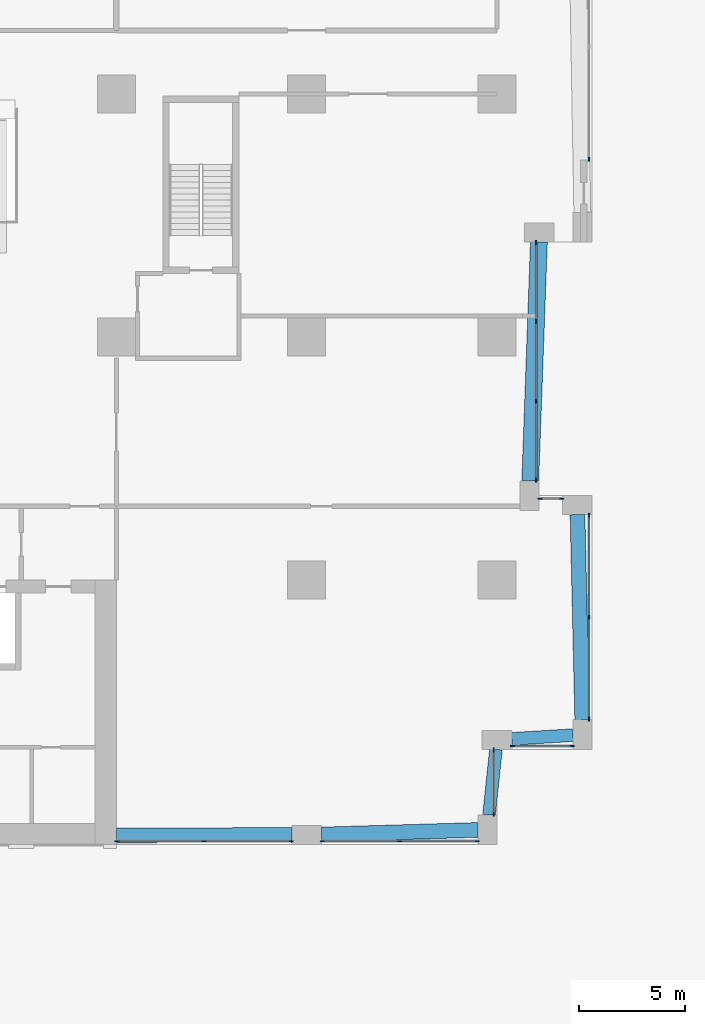
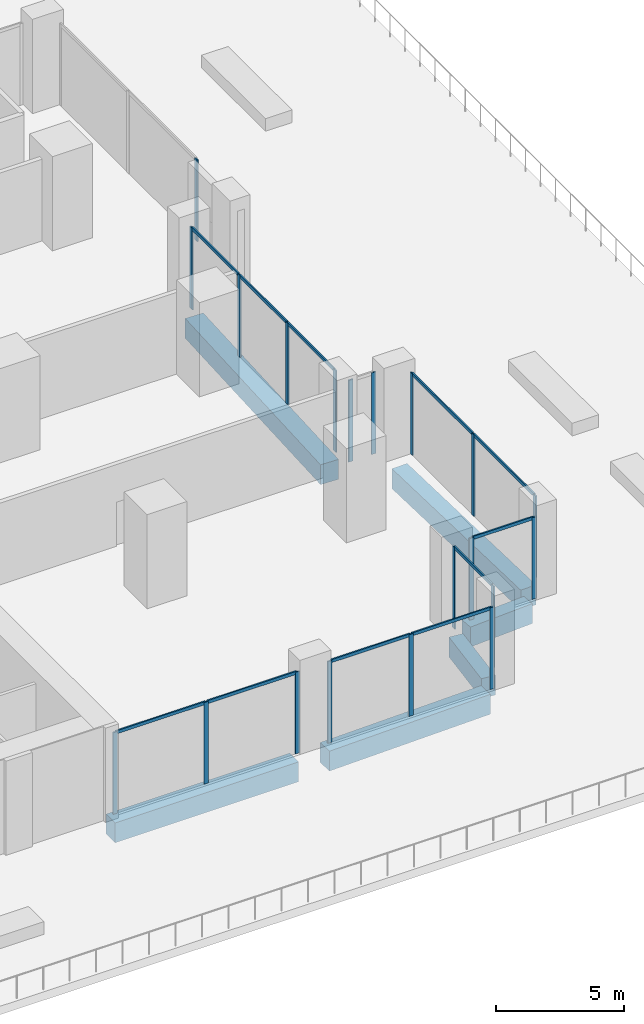
# One storey, part 6 of 19: 31 members, 6 beams, 8 elements without a shape of their own.
"""IFC4 building model written with IfcOpenShell, lengths in metres."""

import ifcopenshell
import ifcopenshell.guid

model = None  # the IFC model being written
_history = None  # IfcOwnerHistory: only IFC2X3 demands one
_inside = {}  # id of a spatial element -> (the spatial element, [elements in it])
_under = {}  # id of a project, library or spatial element -> (it, [spatial elements below it])
_declared = {}  # id of a project -> (the project, [libraries it declares])
_typed = {}  # id of a type object -> (the type object, [elements of that type])
_made_of = {}  # id of a material, layer set ... -> (it, [elements and type objects made of it])


def new_model(schema):
    """Start an empty IFC model of exactly this schema.

    Asked for "IFC4X3", IfcOpenShell would pick the latest addendum, in which some entities
    have other attributes; the version numbers below select the first issue.
    IFC2X3 requires an IfcOwnerHistory on every rooted entity: one is made here for all.
    """
    global model, _history
    if schema == "IFC4X3":
        model = ifcopenshell.file(schema_version=(4, 3, 0, 0))
    else:
        model = ifcopenshell.file(schema=schema)
    _inside.clear()
    _under.clear()
    _declared.clear()
    _typed.clear()
    _made_of.clear()
    _history = None
    if model.schema == "IFC2X3":
        org = make("IfcOrganization", Name="unknown")
        user = make(
            "IfcPersonAndOrganization",
            ThePerson=make("IfcPerson", FamilyName="unknown"),
            TheOrganization=org,
        )
        app = make(
            "IfcApplication",
            ApplicationDeveloper=org,
            Version="unknown",
            ApplicationFullName="unknown",
            ApplicationIdentifier="unknown",
        )
        _history = make(
            "IfcOwnerHistory",
            OwningUser=user,
            OwningApplication=app,
            ChangeAction="ADDED",
            CreationDate=0,
        )
    return model


def make(cls, **values):
    """One entity of the class cls with the attributes given. An attribute that is None is left unset."""
    return model.create_entity(
        cls, **{name: value for name, value in values.items() if value is not None}
    )


def rooted(cls, **values):
    """An entity with a GlobalId (a new one), such as an element, a storey or a relation."""
    return make(cls, GlobalId=ifcopenshell.guid.new(), OwnerHistory=_history, **values)


def si_unit(unit_type, name, prefix=None):
    """IfcSIUnit, for example si_unit("LENGTHUNIT", "METRE", prefix="MILLI")."""
    return make("IfcSIUnit", UnitType=unit_type, Prefix=prefix, Name=name)


def assignment(units):
    """IfcUnitAssignment: the units of a project."""
    return None if units is None else make("IfcUnitAssignment", Units=units)


def point(xyz):
    """IfcCartesianPoint."""
    return None if xyz is None else make("IfcCartesianPoint", Coordinates=xyz)


def direction(xyz):
    """IfcDirection."""
    return None if xyz is None else make("IfcDirection", DirectionRatios=xyz)


def frame(location, z_axis=None, x_axis=None):
    """IfcAxis2Placement3D, a coordinate frame: its origin and axes. An axis left out is left unset."""
    return make(
        "IfcAxis2Placement3D",
        Location=point(location),
        Axis=direction(z_axis),
        RefDirection=direction(x_axis),
    )


def frame_2d(location, x_axis=None):
    """IfcAxis2Placement2D, a coordinate frame in the plane: its origin and x axis."""
    return make(
        "IfcAxis2Placement2D", Location=point(location), RefDirection=direction(x_axis)
    )


def origin():
    """The frame at (0, 0, 0) with its axes left unset."""
    return frame((0.0, 0.0, 0.0))


def origin_2d():
    """The frame at (0, 0) in the plane with its x axis left unset."""
    return frame_2d((0.0, 0.0))


def place(relative_to, where):
    """IfcLocalPlacement: puts the frame where relative to a parent placement (None: the world)."""
    return make(
        "IfcLocalPlacement", PlacementRelTo=relative_to, RelativePlacement=where
    )


def context(
    kind, dimensions, precision=None, world=None, true_north=None, identifier=None
):
    """IfcGeometricRepresentationContext, for example the 3D "Model" context."""
    return make(
        "IfcGeometricRepresentationContext",
        ContextIdentifier=identifier,
        ContextType=kind,
        CoordinateSpaceDimension=dimensions,
        Precision=precision,
        WorldCoordinateSystem=world,
        TrueNorth=true_north,
    )


def subcontext(parent, identifier, kind, view, scale=None):
    """IfcGeometricRepresentationSubContext, for example "Body" below "Model"."""
    return make(
        "IfcGeometricRepresentationSubContext",
        ContextIdentifier=identifier,
        ContextType=kind,
        ParentContext=parent,
        TargetScale=scale,
        TargetView=view,
    )


def project(units=None, contexts=None):
    """IfcProject with its units and contexts."""
    return rooted(
        "IfcProject",
        Name="project",
        RepresentationContexts=contexts,
        UnitsInContext=assignment(units),
    )


def spatial(cls, under=None, at=None, **own):
    """A site, building, storey or space (cls), placed at a placement, below another one or the project."""
    s = rooted(cls, ObjectPlacement=at, **own)
    if under is not None:
        _under.setdefault(under.id(), (under, []))[1].append(s)
    return s


def profile(cls, at=None, kind="AREA", **sizes):
    """A parametric profile (cls). Its sizes go by their IFC names, for example OverallWidth=200.0."""
    return make(cls, ProfileType=kind, Position=at, **sizes)


def rectangle(**sizes):
    """IfcRectangleProfileDef."""
    return profile("IfcRectangleProfileDef", **sizes)


def extrude(swept, where, along, depth):
    """IfcExtrudedAreaSolid: the profile swept, set in the frame where, extruded along a direction by depth."""
    return make(
        "IfcExtrudedAreaSolid",
        SweptArea=swept,
        Position=where,
        ExtrudedDirection=direction(along),
        Depth=depth,
    )


def shape(context_of_items, identifier, shape_type, items):
    """IfcShapeRepresentation: the items that make up one representation, for example the "Body"."""
    return make(
        "IfcShapeRepresentation",
        ContextOfItems=context_of_items,
        RepresentationIdentifier=identifier,
        RepresentationType=shape_type,
        Items=items,
    )


def material(Name=None, Category=None):
    """IfcMaterial."""
    return make("IfcMaterial", Name=Name, Category=Category)


def layer(
    of_material, thickness, ventilated=None, Name=None, Category=None, Priority=None
):
    """IfcMaterialLayer: one layer of a wall or slab, of a material (None: an air gap)."""
    return make(
        "IfcMaterialLayer",
        Material=of_material,
        LayerThickness=thickness,
        IsVentilated=ventilated,
        Name=Name,
        Category=Category,
        Priority=Priority,
    )


def layer_set(layers, Name=None):
    """IfcMaterialLayerSet."""
    return make("IfcMaterialLayerSet", MaterialLayers=layers, LayerSetName=Name)


def material_profile(
    of_material, cross_section, Name=None, Category=None, Priority=None
):
    """IfcMaterialProfile: a cross section and its material."""
    return make(
        "IfcMaterialProfile",
        Name=Name,
        Material=of_material,
        Profile=cross_section,
        Priority=Priority,
        Category=Category,
    )


def profile_set(profiles, Name=None, composite=None):
    """IfcMaterialProfileSet."""
    return make(
        "IfcMaterialProfileSet",
        Name=Name,
        MaterialProfiles=profiles,
        CompositeProfile=composite,
    )


def made_of(thing, what):
    """Note that an element or type object is made of a material, layer set ...; save() writes the relation."""
    if what is not None:
        _made_of.setdefault(what.id(), (what, []))[1].append(thing)
    return thing


def type_object(cls, material=None, **own):
    """A type object (cls), such as IfcWallType, which elements share."""
    return made_of(rooted(cls, **own), material)


def element(
    cls,
    number,
    at=None,
    inside=None,
    cuts=None,
    type_object=None,
    material=None,
    context=None,
    identifier="Body",
    shape_type=None,
    held_by="IfcProductDefinitionShape",
    body=None,
    shapes=None,
    **own,
):
    """One element of the class cls, such as IfcWall. Its Tag is "e" and its number.

    at: its placement. inside: the storey or other place that contains it. cuts: it is an
    opening in that element (IfcRelVoidsElement). A single representation is given by context,
    identifier, shape_type and body (its items); several are given by shapes. held_by: the class
    of the entity that holds the representations. save() writes the other relations.
    """
    e = rooted(cls, Tag="e%d" % number, ObjectPlacement=at, **own)
    if body is not None:
        shapes = [shape(context, identifier, shape_type, body)]
    if shapes is not None:
        e.Representation = make(held_by, Representations=shapes)
    if inside is not None:
        _inside.setdefault(inside.id(), (inside, []))[1].append(e)
    if cuts is not None:
        rooted(
            "IfcRelVoidsElement", RelatingBuildingElement=cuts, RelatedOpeningElement=e
        )
    if type_object is not None:
        _typed.setdefault(type_object.id(), (type_object, []))[1].append(e)
    return made_of(e, material)


def aggregate(whole, parts):
    """IfcRelAggregates: a whole, such as a stair, and the parts it consists of."""
    return rooted("IfcRelAggregates", RelatingObject=whole, RelatedObjects=parts)


def save(model, path):
    """Write the relations noted so far, then the file.

    IfcRelAggregates (storeys below a building ...), IfcRelContainedInSpatialStructure (elements
    in a storey), IfcRelDefinesByType, IfcRelAssociatesMaterial and IfcRelDeclares: one each for
    every whole, place, type object, material and project.
    """
    for whole, parts in _under.values():
        aggregate(whole, parts)
    for where, things in _inside.values():
        rooted(
            "IfcRelContainedInSpatialStructure",
            RelatedElements=things,
            RelatingStructure=where,
        )
    for kind, things in _typed.values():
        rooted("IfcRelDefinesByType", RelatedObjects=things, RelatingType=kind)
    for what, things in _made_of.values():
        rooted("IfcRelAssociatesMaterial", RelatedObjects=things, RelatingMaterial=what)
    for by, libraries in _declared.values():
        rooted("IfcRelDeclares", RelatingContext=by, RelatedDefinitions=libraries)
    model.write(path)


model = new_model("IFC4")

# Units and contexts
model_context = context("Model", 3, precision=1e-05, world=origin(), true_north=direction((0.0, 1.0)))
body_context = subcontext(model_context, "Body", "Model", "MODEL_VIEW")
ifc_project = project(units=[si_unit("LENGTHUNIT", "METRE"), si_unit("AREAUNIT", "SQUARE_METRE"), si_unit("VOLUMEUNIT", "CUBIC_METRE"), si_unit("PLANEANGLEUNIT", "RADIAN"), si_unit("MASSUNIT", "GRAM", prefix="KILO")], contexts=[model_context])

# Site, building, storey
site_placement = place(None, origin())
site = spatial("IfcSite", under=ifc_project, at=site_placement, CompositionType="ELEMENT")
building_placement = place(site_placement, origin())
building = spatial("IfcBuilding", under=site, at=building_placement, Name="Brigalow Station Residences", CompositionType="ELEMENT")
storey_placement = place(building_placement, frame((0.0, 0.0, 11.0)))
storey = spatial("IfcBuildingStorey", under=building, at=storey_placement, Name="L02", CompositionType="ELEMENT", Elevation=11.0)

# Beams
ifc_material_1 = material(Name="Concrete C65", Category="concrete")
ifc_material_profile_1 = material_profile(ifc_material_1, rectangle(XDim=0.699951171875, YDim=0.949951171875, at=origin_2d()), Name="RC700x950")
ifc_profile_set_1 = profile_set([ifc_material_profile_1], Name="Concrete C65")
beam_type_1 = type_object("IfcBeamType", Name="EDGE GIRDER 4.5 TO 9.9 M SPAN 700x950 C65", PredefinedType="BEAM", material=ifc_profile_set_1)
beam_1_placement = place(storey_placement, frame((54.0, 0.42626953125, -0.876953125), z_axis=(0.99999649594, 0.002647283132, 0.0), x_axis=(-0.002647283132, 0.99999649594, 0.0)))
element("IfcBeam", 1, at=beam_1_placement, inside=storey, type_object=beam_type_1, Name="FOOTPRINT EDGE GIRDER 3 L02", PredefinedType="BEAM", context=body_context, shape_type="SweptSolid", body=[
    extrude(rectangle(XDim=0.699951171875, YDim=0.949951171875, at=origin_2d()), origin(), (0.0, 0.0, 1.0), 8.300048828125),
])
beam_2_placement = place(storey_placement, frame((63.699951171875, 0.470458984375, -0.876953125), z_axis=(0.99957306798, 0.029217833071, 0.0), x_axis=(-0.029217833071, 0.99957306798, 0.0)))
element("IfcBeam", 2, at=beam_2_placement, inside=storey, type_object=beam_type_1, Name="FOOTPRINT EDGE GIRDER 4 L02", PredefinedType="BEAM", context=body_context, shape_type="SweptSolid", body=[
    extrude(rectangle(XDim=0.699951171875, YDim=0.949951171875, at=origin_2d()), origin(), (0.0, 0.0, 1.0), 7.4033203125),
])
beam_3_placement = place(storey_placement, frame((76.033935546875, 5.89990234375, -0.876953125), z_axis=(-0.023048340536, 0.999734351715, 0.0), x_axis=(-0.999734351715, -0.023048340536, 0.0)))
element("IfcBeam", 3, at=beam_3_placement, inside=storey, type_object=beam_type_1, Name="FOOTPRINT EDGE GIRDER 7 L02", PredefinedType="BEAM", context=body_context, shape_type="SweptSolid", body=[
    extrude(rectangle(XDim=0.699951171875, YDim=0.949951171875, at=origin_2d()), origin(), (0.0, 0.0, 1.0), 9.702880859375),
])
ifc_material_2 = material(Name="Concrete C65", Category="concrete")
ifc_material_profile_2 = material_profile(ifc_material_2, rectangle(XDim=0.60009765625, YDim=0.949951171875, at=origin_2d()), Name="RC600x950")
ifc_profile_set_2 = profile_set([ifc_material_profile_2], Name="Concrete C65")
beam_type_2 = type_object("IfcBeamType", Name="EDGE GIRDER 600x950 C65", PredefinedType="BEAM", material=ifc_profile_set_2)
beam_4_placement = place(storey_placement, frame((71.6240234375, 1.39990234375, -0.876953125), z_axis=(0.105332948539, 0.994437011556, 0.0), x_axis=(-0.994437011556, 0.105332948539, 0.0)))
element("IfcBeam", 4, at=beam_4_placement, inside=storey, type_object=beam_type_2, Name="FOOTPRINT EDGE GIRDER 5 L02", PredefinedType="BEAM", context=body_context, shape_type="SweptSolid", body=[
    extrude(rectangle(XDim=0.60009765625, YDim=0.949951171875, at=origin_2d()), origin(), (0.0, 0.0, 1.0), 3.117431640625),
])
beam_5_placement = place(storey_placement, frame((72.699951171875, 4.9931640625, -0.876953125), z_axis=(0.998101633147, 0.061588391034, 0.0), x_axis=(-0.061588391034, 0.998101633147, 0.0)))
element("IfcBeam", 5, at=beam_5_placement, inside=storey, type_object=beam_type_2, Name="FOOTPRINT EDGE GIRDER 6 L02", PredefinedType="BEAM", context=body_context, shape_type="SweptSolid", body=[
    extrude(rectangle(XDim=0.60009765625, YDim=0.949951171875, at=origin_2d()), origin(), (0.0, 0.0, 1.0), 2.90576171875),
])
ifc_material_3 = material(Name="Concrete C65", Category="concrete")
ifc_material_profile_3 = material_profile(ifc_material_3, rectangle(XDim=0.800048828125, YDim=0.949951171875, at=origin_2d()), Name="RC800x950")
ifc_profile_set_3 = profile_set([ifc_material_profile_3], Name="Concrete C65")
beam_type_3 = type_object("IfcBeamType", Name="EDGE GIRDER OVER 9.9 M SPAN 800x950 C65", PredefinedType="BEAM", material=ifc_profile_set_3)
beam_6_placement = place(storey_placement, frame((73.5751953125, 17.199951171875, -0.876953125), z_axis=(0.036122030412, 0.999347386507, 0.0), x_axis=(-0.999347386507, 0.036122030412, 0.0)))
element("IfcBeam", 6, at=beam_6_placement, inside=storey, type_object=beam_type_3, Name="FOOTPRINT EDGE GIRDER 8 L02", PredefinedType="BEAM", context=body_context, shape_type="SweptSolid", body=[
    extrude(rectangle(XDim=0.800048828125, YDim=0.949951171875, at=origin_2d()), origin(), (0.0, 0.0, 1.0), 11.307373046875),
])

# Curtain wall, members
ifc_material_4 = material(Name="Aluminium", Category="aluminium")
ifc_layer = layer(ifc_material_4, 0.199951171875)
ifc_layer_set = layer_set([ifc_layer], Name="PODIUM UNITISED GLAZING CURTAIN WALL")
curtain_wall_type = type_object("IfcCurtainWallType", Name="PODIUM UNITISED GLAZING CURTAIN WALL", PredefinedType="NOTDEFINED", material=ifc_layer_set)
curtain_wall_1_placement = place(storey_placement, origin())
curtain_wall_1 = element("IfcCurtainWall", 7, at=curtain_wall_1_placement, inside=storey, type_object=curtain_wall_type, Name="L02/cw/podium-W-L02-5-2", PredefinedType="NOTDEFINED")
ifc_material_5 = material(Name="Aluminium", Category="aluminium")
ifc_material_profile_4 = material_profile(ifc_material_5, rectangle(XDim=0.06494140625, YDim=0.199951171875, at=origin_2d()), Name="PODIUM UNITISED GLAZING MULLION 65x200")
ifc_profile_set_4 = profile_set([ifc_material_profile_4], Name="Aluminium")
member_type_1 = type_object("IfcMemberType", Name="PODIUM UNITISED GLAZING MULLION 65x200", PredefinedType="MULLION", material=ifc_profile_set_4)
member_1_placement = place(storey_placement, frame((54.032470703125, 0.14990234375, 0.0), z_axis=(0.0, 0.0, 1.0), x_axis=(0.0, 1.0, 0.0)))
member_1 = element("IfcMember", 8, at=member_1_placement, type_object=member_type_1, Name="L02/cw/podium-W-L02-5-2/M00", PredefinedType="MULLION", context=body_context, shape_type="SweptSolid", body=[
    extrude(rectangle(XDim=0.06494140625, YDim=0.199951171875, at=origin_2d()), origin(), (0.0, 0.0, 1.0), 3.89990234375),
])
member_2_placement = place(storey_placement, frame((58.14990234375, 0.14990234375, 0.0), z_axis=(0.0, 0.0, 1.0), x_axis=(0.0, 1.0, 0.0)))
member_2 = element("IfcMember", 9, at=member_2_placement, type_object=member_type_1, Name="L02/cw/podium-W-L02-5-2/M01", PredefinedType="MULLION", context=body_context, shape_type="SweptSolid", body=[
    extrude(rectangle(XDim=0.06494140625, YDim=0.199951171875, at=origin_2d()), origin(), (0.0, 0.0, 1.0), 3.89990234375),
])
member_3_placement = place(storey_placement, frame((62.267578125, 0.14990234375, 0.0), z_axis=(0.0, 0.0, 1.0), x_axis=(0.0, 1.0, 0.0)))
member_3 = element("IfcMember", 10, at=member_3_placement, type_object=member_type_1, Name="L02/cw/podium-W-L02-5-2/M02", PredefinedType="MULLION", context=body_context, shape_type="SweptSolid", body=[
    extrude(rectangle(XDim=0.06494140625, YDim=0.199951171875, at=origin_2d()), origin(), (0.0, 0.0, 1.0), 3.89990234375),
])

curtain_wall_2_placement = place(storey_placement, origin())
curtain_wall_2 = element("IfcCurtainWall", 11, at=curtain_wall_2_placement, inside=storey, type_object=curtain_wall_type, Name="L02/cw/podium-W-L02-5-3", PredefinedType="NOTDEFINED")
member_4_placement = place(storey_placement, frame((63.732421875, 0.14990234375, 0.0), z_axis=(0.0, 0.0, 1.0), x_axis=(0.0, 1.0, 0.0)))
member_4 = element("IfcMember", 12, at=member_4_placement, type_object=member_type_1, Name="L02/cw/podium-W-L02-5-3/M00", PredefinedType="MULLION", context=body_context, shape_type="SweptSolid", body=[
    extrude(rectangle(XDim=0.06494140625, YDim=0.199951171875, at=origin_2d()), origin(), (0.0, 0.0, 1.0), 3.89990234375),
])
member_5_placement = place(storey_placement, frame((67.39990234375, 0.14990234375, 0.0), z_axis=(0.0, 0.0, 1.0), x_axis=(0.0, 1.0, 0.0)))
member_5 = element("IfcMember", 13, at=member_5_placement, type_object=member_type_1, Name="L02/cw/podium-W-L02-5-3/M01", PredefinedType="MULLION", context=body_context, shape_type="SweptSolid", body=[
    extrude(rectangle(XDim=0.06494140625, YDim=0.199951171875, at=origin_2d()), origin(), (0.0, 0.0, 1.0), 3.89990234375),
])
member_6_placement = place(storey_placement, frame((71.0673828125, 0.14990234375, 0.0), z_axis=(0.0, 0.0, 1.0), x_axis=(0.0, 1.0, 0.0)))
member_6 = element("IfcMember", 14, at=member_6_placement, type_object=member_type_1, Name="L02/cw/podium-W-L02-5-3/M02", PredefinedType="MULLION", context=body_context, shape_type="SweptSolid", body=[
    extrude(rectangle(XDim=0.06494140625, YDim=0.199951171875, at=origin_2d()), origin(), (0.0, 0.0, 1.0), 3.89990234375),
])

curtain_wall_3_placement = place(storey_placement, origin())
curtain_wall_3 = element("IfcCurtainWall", 15, at=curtain_wall_3_placement, inside=storey, type_object=curtain_wall_type, Name="L02/cw/podium-W-L02-9-4", PredefinedType="NOTDEFINED")
member_7_placement = place(storey_placement, frame((71.85009765625, 1.4326171875, 0.0), z_axis=(0.0, 0.0, 1.0), x_axis=(-1.0, 0.0, 0.0)))
member_7 = element("IfcMember", 16, at=member_7_placement, type_object=member_type_1, Name="L02/cw/podium-W-L02-9-4/M00", PredefinedType="MULLION", context=body_context, shape_type="SweptSolid", body=[
    extrude(rectangle(XDim=0.06494140625, YDim=0.199951171875, at=origin_2d()), origin(), (0.0, 0.0, 1.0), 3.89990234375),
])
member_8_placement = place(storey_placement, frame((71.85009765625, 4.467529296875, 0.0), z_axis=(0.0, 0.0, 1.0), x_axis=(-1.0, 0.0, 0.0)))
member_8 = element("IfcMember", 17, at=member_8_placement, type_object=member_type_1, Name="L02/cw/podium-W-L02-9-4/M01", PredefinedType="MULLION", context=body_context, shape_type="SweptSolid", body=[
    extrude(rectangle(XDim=0.06494140625, YDim=0.199951171875, at=origin_2d()), origin(), (0.0, 0.0, 1.0), 3.89990234375),
])

curtain_wall_4_placement = place(storey_placement, origin())
curtain_wall_4 = element("IfcCurtainWall", 18, at=curtain_wall_4_placement, inside=storey, type_object=curtain_wall_type, Name="L02/cw/podium-W-L02-10-5", PredefinedType="NOTDEFINED")
member_9_placement = place(storey_placement, frame((72.732421875, 4.64990234375, 0.0), z_axis=(0.0, 0.0, 1.0), x_axis=(0.0, 1.0, 0.0)))
member_9 = element("IfcMember", 19, at=member_9_placement, type_object=member_type_1, Name="L02/cw/podium-W-L02-10-5/M00", PredefinedType="MULLION", context=body_context, shape_type="SweptSolid", body=[
    extrude(rectangle(XDim=0.06494140625, YDim=0.199951171875, at=origin_2d()), origin(), (0.0, 0.0, 1.0), 3.89990234375),
])
member_10_placement = place(storey_placement, frame((75.5673828125, 4.64990234375, 0.0), z_axis=(0.0, 0.0, 1.0), x_axis=(0.0, 1.0, 0.0)))
member_10 = element("IfcMember", 20, at=member_10_placement, type_object=member_type_1, Name="L02/cw/podium-W-L02-10-5/M01", PredefinedType="MULLION", context=body_context, shape_type="SweptSolid", body=[
    extrude(rectangle(XDim=0.06494140625, YDim=0.199951171875, at=origin_2d()), origin(), (0.0, 0.0, 1.0), 3.89990234375),
])

curtain_wall_5_placement = place(storey_placement, origin())
curtain_wall_5 = element("IfcCurtainWall", 21, at=curtain_wall_5_placement, inside=storey, type_object=curtain_wall_type, Name="L02/cw/podium-W-L02-11-6", PredefinedType="NOTDEFINED")
member_11_placement = place(storey_placement, frame((76.35009765625, 5.9326171875, 0.0), z_axis=(0.0, 0.0, 1.0), x_axis=(-1.0, 0.0, 0.0)))
member_11 = element("IfcMember", 22, at=member_11_placement, type_object=member_type_1, Name="L02/cw/podium-W-L02-11-6/M00", PredefinedType="MULLION", context=body_context, shape_type="SweptSolid", body=[
    extrude(rectangle(XDim=0.06494140625, YDim=0.199951171875, at=origin_2d()), origin(), (0.0, 0.0, 1.0), 3.89990234375),
])
member_12_placement = place(storey_placement, frame((76.35009765625, 10.75, 0.0), z_axis=(0.0, 0.0, 1.0), x_axis=(-1.0, 0.0, 0.0)))
member_12 = element("IfcMember", 23, at=member_12_placement, type_object=member_type_1, Name="L02/cw/podium-W-L02-11-6/M01", PredefinedType="MULLION", context=body_context, shape_type="SweptSolid", body=[
    extrude(rectangle(XDim=0.06494140625, YDim=0.199951171875, at=origin_2d()), origin(), (0.0, 0.0, 1.0), 3.89990234375),
])
member_13_placement = place(storey_placement, frame((76.35009765625, 15.5673828125, 0.0), z_axis=(0.0, 0.0, 1.0), x_axis=(-1.0, 0.0, 0.0)))
member_13 = element("IfcMember", 24, at=member_13_placement, type_object=member_type_1, Name="L02/cw/podium-W-L02-11-6/M02", PredefinedType="MULLION", context=body_context, shape_type="SweptSolid", body=[
    extrude(rectangle(XDim=0.06494140625, YDim=0.199951171875, at=origin_2d()), origin(), (0.0, 0.0, 1.0), 3.89990234375),
])

curtain_wall_6_placement = place(storey_placement, origin())
curtain_wall_6 = element("IfcCurtainWall", 25, at=curtain_wall_6_placement, inside=storey, type_object=curtain_wall_type, Name="L02/cw/podium-W-L02-14-7", PredefinedType="NOTDEFINED")
member_14_placement = place(storey_placement, frame((75.0673828125, 16.35009765625, 0.0), z_axis=(0.0, 0.0, 1.0), x_axis=(0.0, -1.0, 0.0)))
member_14 = element("IfcMember", 26, at=member_14_placement, type_object=member_type_1, Name="L02/cw/podium-W-L02-14-7/M00", PredefinedType="MULLION", context=body_context, shape_type="SweptSolid", body=[
    extrude(rectangle(XDim=0.06494140625, YDim=0.199951171875, at=origin_2d()), origin(), (0.0, 0.0, 1.0), 3.89990234375),
])
member_15_placement = place(storey_placement, frame((74.032470703125, 16.35009765625, 0.0), z_axis=(0.0, 0.0, 1.0), x_axis=(0.0, -1.0, 0.0)))
member_15 = element("IfcMember", 27, at=member_15_placement, type_object=member_type_1, Name="L02/cw/podium-W-L02-14-7/M01", PredefinedType="MULLION", context=body_context, shape_type="SweptSolid", body=[
    extrude(rectangle(XDim=0.06494140625, YDim=0.199951171875, at=origin_2d()), origin(), (0.0, 0.0, 1.0), 3.89990234375),
])
aggregate(curtain_wall_6, [member_14, member_15])

curtain_wall_7_placement = place(storey_placement, origin())
curtain_wall_7 = element("IfcCurtainWall", 28, at=curtain_wall_7_placement, inside=storey, type_object=curtain_wall_type, Name="L02/cw/podium-W-L02-15-8", PredefinedType="NOTDEFINED")
member_16_placement = place(storey_placement, frame((73.85009765625, 17.232421875, 0.0), z_axis=(0.0, 0.0, 1.0), x_axis=(-1.0, 0.0, 0.0)))
member_16 = element("IfcMember", 29, at=member_16_placement, type_object=member_type_1, Name="L02/cw/podium-W-L02-15-8/M00", PredefinedType="MULLION", context=body_context, shape_type="SweptSolid", body=[
    extrude(rectangle(XDim=0.06494140625, YDim=0.199951171875, at=origin_2d()), origin(), (0.0, 0.0, 1.0), 3.89990234375),
])
member_17_placement = place(storey_placement, frame((73.85009765625, 20.966796875, 0.0), z_axis=(0.0, 0.0, 1.0), x_axis=(-1.0, 0.0, 0.0)))
member_17 = element("IfcMember", 30, at=member_17_placement, type_object=member_type_1, Name="L02/cw/podium-W-L02-15-8/M01", PredefinedType="MULLION", context=body_context, shape_type="SweptSolid", body=[
    extrude(rectangle(XDim=0.06494140625, YDim=0.199951171875, at=origin_2d()), origin(), (0.0, 0.0, 1.0), 3.89990234375),
])
member_18_placement = place(storey_placement, frame((73.85009765625, 24.7333984375, 0.0), z_axis=(0.0, 0.0, 1.0), x_axis=(-1.0, 0.0, 0.0)))
member_18 = element("IfcMember", 31, at=member_18_placement, type_object=member_type_1, Name="L02/cw/podium-W-L02-15-8/M02", PredefinedType="MULLION", context=body_context, shape_type="SweptSolid", body=[
    extrude(rectangle(XDim=0.06494140625, YDim=0.199951171875, at=origin_2d()), origin(), (0.0, 0.0, 1.0), 3.89990234375),
])
member_19_placement = place(storey_placement, frame((73.85009765625, 28.467529296875, 0.0), z_axis=(0.0, 0.0, 1.0), x_axis=(-1.0, 0.0, 0.0)))
member_19 = element("IfcMember", 32, at=member_19_placement, type_object=member_type_1, Name="L02/cw/podium-W-L02-15-8/M03", PredefinedType="MULLION", context=body_context, shape_type="SweptSolid", body=[
    extrude(rectangle(XDim=0.06494140625, YDim=0.199951171875, at=origin_2d()), origin(), (0.0, 0.0, 1.0), 3.89990234375),
])

# Curtain wall, member
curtain_wall_8_placement = place(storey_placement, origin())
curtain_wall_8 = element("IfcCurtainWall", 33, at=curtain_wall_8_placement, inside=storey, type_object=curtain_wall_type, Name="L02/cw/podium-W-L02-19-9", PredefinedType="NOTDEFINED")
member_20_placement = place(storey_placement, frame((76.35009765625, 32.407470703125, 0.0), z_axis=(0.0, 0.0, 1.0), x_axis=(-1.0, 0.0, 0.0)))
member_20 = element("IfcMember", 34, at=member_20_placement, type_object=member_type_1, Name="L02/cw/podium-W-L02-19-9/M00", PredefinedType="MULLION", context=body_context, shape_type="SweptSolid", body=[
    extrude(rectangle(XDim=0.06494140625, YDim=0.199951171875, at=origin_2d()), origin(), (0.0, 0.0, 1.0), 3.89990234375),
])
aggregate(curtain_wall_8, [member_20])

# Member
ifc_material_6 = material(Name="Aluminium", Category="aluminium")
ifc_material_profile_5 = material_profile(ifc_material_6, rectangle(XDim=0.06494140625, YDim=0.14990234375, at=origin_2d()), Name="PODIUM UNITISED GLAZING TRANSOM 65x150")
ifc_profile_set_5 = profile_set([ifc_material_profile_5], Name="Aluminium")
member_type_2 = type_object("IfcMemberType", Name="PODIUM UNITISED GLAZING TRANSOM 65x150", PredefinedType="USERDEFINED", material=ifc_profile_set_5)
member_21_placement = place(storey_placement, frame((54.06494140625, 0.14990234375, 3.867431640625), z_axis=(1.0, 0.0, 0.0), x_axis=(0.0, 1.0, 0.0)))
member_21 = element("IfcMember", 35, at=member_21_placement, type_object=member_type_2, Name="L02/cw/podium-W-L02-5-2/T00-00", ObjectType="TRANSOM", PredefinedType="USERDEFINED", context=body_context, shape_type="SweptSolid", body=[
    extrude(rectangle(XDim=0.06494140625, YDim=0.14990234375, at=origin_2d()), origin(), (0.0, 0.0, 1.0), 4.052490234375),
])

member_22_placement = place(storey_placement, frame((58.1826171875, 0.14990234375, 3.867431640625), z_axis=(1.0, 0.0, 0.0), x_axis=(0.0, 1.0, 0.0)))
member_22 = element("IfcMember", 36, at=member_22_placement, type_object=member_type_2, Name="L02/cw/podium-W-L02-5-2/T01-00", ObjectType="TRANSOM", PredefinedType="USERDEFINED", context=body_context, shape_type="SweptSolid", body=[
    extrude(rectangle(XDim=0.06494140625, YDim=0.14990234375, at=origin_2d()), origin(), (0.0, 0.0, 1.0), 4.052490234375),
])

aggregate(curtain_wall_1, [member_1, member_2, member_3, member_21, member_22])

member_23_placement = place(storey_placement, frame((63.764892578125, 0.14990234375, 3.867431640625), z_axis=(1.0, 0.0, 0.0), x_axis=(0.0, 1.0, 0.0)))
member_23 = element("IfcMember", 37, at=member_23_placement, type_object=member_type_2, Name="L02/cw/podium-W-L02-5-3/T00-00", ObjectType="TRANSOM", PredefinedType="USERDEFINED", context=body_context, shape_type="SweptSolid", body=[
    extrude(rectangle(XDim=0.06494140625, YDim=0.14990234375, at=origin_2d()), origin(), (0.0, 0.0, 1.0), 3.6025390625),
])

member_24_placement = place(storey_placement, frame((67.4326171875, 0.14990234375, 3.867431640625), z_axis=(1.0, 0.0, 0.0), x_axis=(0.0, 1.0, 0.0)))
member_24 = element("IfcMember", 38, at=member_24_placement, type_object=member_type_2, Name="L02/cw/podium-W-L02-5-3/T01-00", ObjectType="TRANSOM", PredefinedType="USERDEFINED", context=body_context, shape_type="SweptSolid", body=[
    extrude(rectangle(XDim=0.06494140625, YDim=0.14990234375, at=origin_2d()), origin(), (0.0, 0.0, 1.0), 3.602294921875),
])

aggregate(curtain_wall_2, [member_4, member_5, member_6, member_23, member_24])

member_25_placement = place(storey_placement, frame((71.85009765625, 1.465087890625, 3.867431640625), z_axis=(0.0, 1.0, 0.0), x_axis=(-1.0, 0.0, 0.0)))
member_25 = element("IfcMember", 39, at=member_25_placement, type_object=member_type_2, Name="L02/cw/podium-W-L02-9-4/T00-00", ObjectType="TRANSOM", PredefinedType="USERDEFINED", context=body_context, shape_type="SweptSolid", body=[
    extrude(rectangle(XDim=0.06494140625, YDim=0.14990234375, at=origin_2d()), origin(), (0.0, 0.0, 1.0), 2.969970703125),
])

aggregate(curtain_wall_3, [member_7, member_8, member_25])

member_26_placement = place(storey_placement, frame((72.764892578125, 4.64990234375, 3.867431640625), z_axis=(1.0, 0.0, 0.0), x_axis=(0.0, 1.0, 0.0)))
member_26 = element("IfcMember", 40, at=member_26_placement, type_object=member_type_2, Name="L02/cw/podium-W-L02-10-5/T00-00", ObjectType="TRANSOM", PredefinedType="USERDEFINED", context=body_context, shape_type="SweptSolid", body=[
    extrude(rectangle(XDim=0.06494140625, YDim=0.14990234375, at=origin_2d()), origin(), (0.0, 0.0, 1.0), 2.77001953125),
])

aggregate(curtain_wall_4, [member_9, member_10, member_26])

member_27_placement = place(storey_placement, frame((76.35009765625, 5.965087890625, 3.867431640625), z_axis=(0.0, 1.0, 0.0), x_axis=(-1.0, 0.0, 0.0)))
member_27 = element("IfcMember", 41, at=member_27_placement, type_object=member_type_2, Name="L02/cw/podium-W-L02-11-6/T00-00", ObjectType="TRANSOM", PredefinedType="USERDEFINED", context=body_context, shape_type="SweptSolid", body=[
    extrude(rectangle(XDim=0.06494140625, YDim=0.14990234375, at=origin_2d()), origin(), (0.0, 0.0, 1.0), 4.75244140625),
])

member_28_placement = place(storey_placement, frame((76.35009765625, 10.782470703125, 3.867431640625), z_axis=(0.0, 1.0, 0.0), x_axis=(-1.0, 0.0, 0.0)))
member_28 = element("IfcMember", 42, at=member_28_placement, type_object=member_type_2, Name="L02/cw/podium-W-L02-11-6/T01-00", ObjectType="TRANSOM", PredefinedType="USERDEFINED", context=body_context, shape_type="SweptSolid", body=[
    extrude(rectangle(XDim=0.06494140625, YDim=0.14990234375, at=origin_2d()), origin(), (0.0, 0.0, 1.0), 4.75244140625),
])

aggregate(curtain_wall_5, [member_11, member_12, member_13, member_27, member_28])

member_29_placement = place(storey_placement, frame((73.85009765625, 17.264892578125, 3.867431640625), z_axis=(0.0, 1.0, 0.0), x_axis=(-1.0, 0.0, 0.0)))
member_29 = element("IfcMember", 43, at=member_29_placement, type_object=member_type_2, Name="L02/cw/podium-W-L02-15-8/T00-00", ObjectType="TRANSOM", PredefinedType="USERDEFINED", context=body_context, shape_type="SweptSolid", body=[
    extrude(rectangle(XDim=0.06494140625, YDim=0.14990234375, at=origin_2d()), origin(), (0.0, 0.0, 1.0), 3.669189453125),
])

member_30_placement = place(storey_placement, frame((73.85009765625, 20.999267578125, 3.867431640625), z_axis=(0.0, 1.0, 0.0), x_axis=(-1.0, 0.0, 0.0)))
member_30 = element("IfcMember", 44, at=member_30_placement, type_object=member_type_2, Name="L02/cw/podium-W-L02-15-8/T01-00", ObjectType="TRANSOM", PredefinedType="USERDEFINED", context=body_context, shape_type="SweptSolid", body=[
    extrude(rectangle(XDim=0.06494140625, YDim=0.14990234375, at=origin_2d()), origin(), (0.0, 0.0, 1.0), 3.701416015625),
])

member_31_placement = place(storey_placement, frame((73.85009765625, 24.765869140625, 3.867431640625), z_axis=(0.0, 1.0, 0.0), x_axis=(-1.0, 0.0, 0.0)))
member_31 = element("IfcMember", 45, at=member_31_placement, type_object=member_type_2, Name="L02/cw/podium-W-L02-15-8/T02-00", ObjectType="TRANSOM", PredefinedType="USERDEFINED", context=body_context, shape_type="SweptSolid", body=[
    extrude(rectangle(XDim=0.06494140625, YDim=0.14990234375, at=origin_2d()), origin(), (0.0, 0.0, 1.0), 3.669189453125),
])

aggregate(curtain_wall_7, [member_16, member_17, member_18, member_19, member_29, member_30, member_31])

save(model, "model.ifc")
